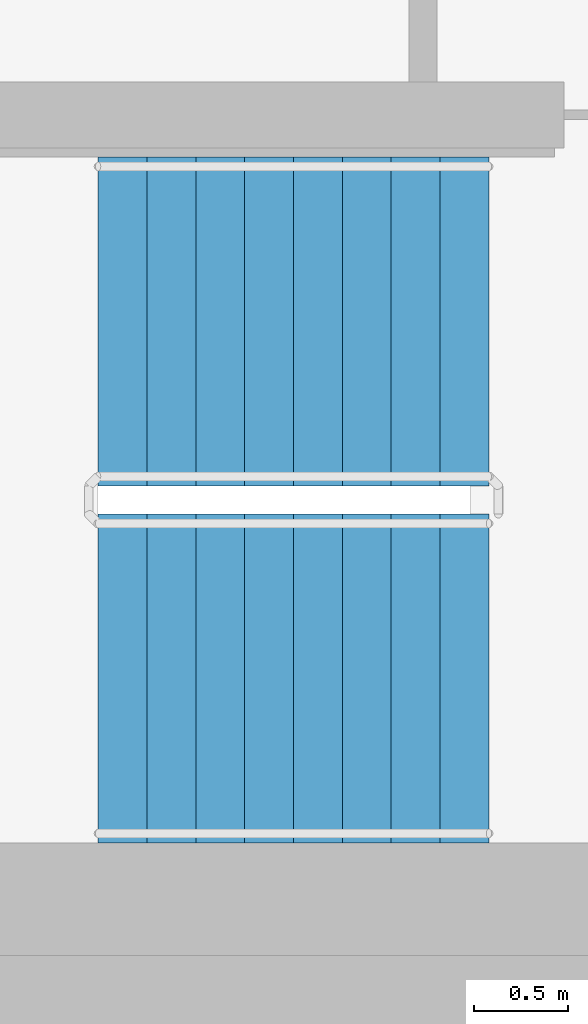
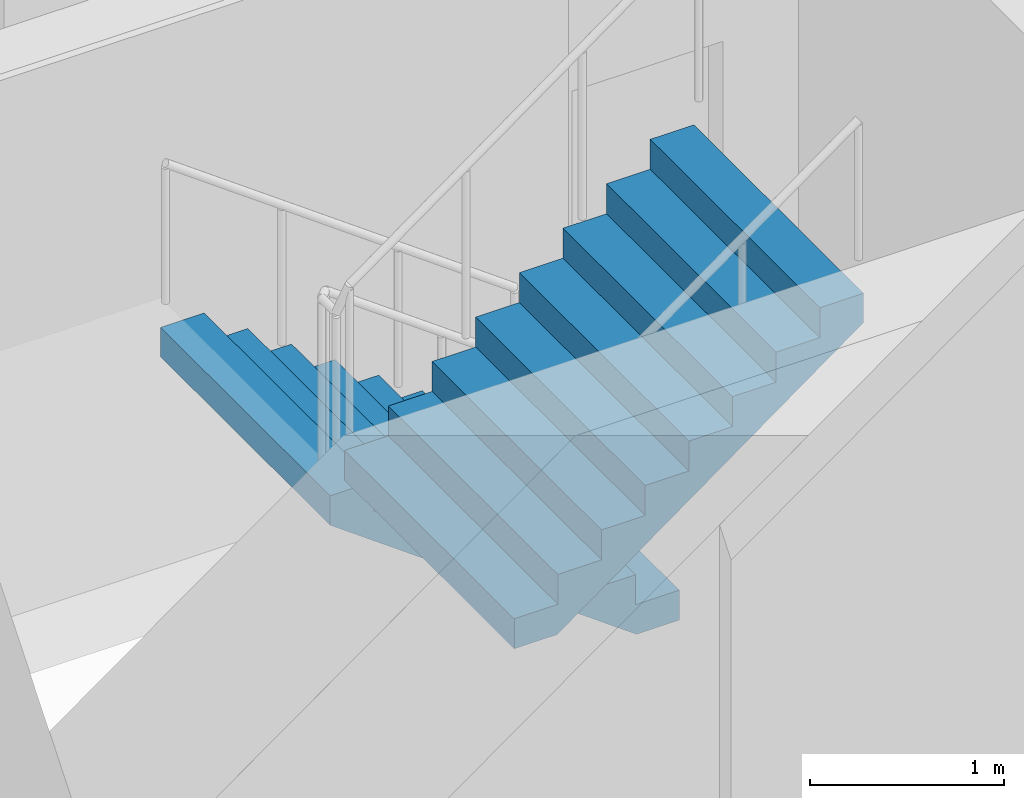
# One storey, part 12 of 18: 2 stair flights, 1 element without a shape of its own.
"""IFC4 building model written with IfcOpenShell, lengths in metres."""

import ifcopenshell
import ifcopenshell.guid

model = None  # the IFC model being written
_history = None  # IfcOwnerHistory: only IFC2X3 demands one
_inside = {}  # id of a spatial element -> (the spatial element, [elements in it])
_under = {}  # id of a project, library or spatial element -> (it, [spatial elements below it])
_declared = {}  # id of a project -> (the project, [libraries it declares])
_typed = {}  # id of a type object -> (the type object, [elements of that type])
_made_of = {}  # id of a material, layer set ... -> (it, [elements and type objects made of it])


def new_model(schema):
    """Start an empty IFC model of exactly this schema.

    Asked for "IFC4X3", IfcOpenShell would pick the latest addendum, in which some entities
    have other attributes; the version numbers below select the first issue.
    IFC2X3 requires an IfcOwnerHistory on every rooted entity: one is made here for all.
    """
    global model, _history
    if schema == "IFC4X3":
        model = ifcopenshell.file(schema_version=(4, 3, 0, 0))
    else:
        model = ifcopenshell.file(schema=schema)
    _inside.clear()
    _under.clear()
    _declared.clear()
    _typed.clear()
    _made_of.clear()
    _history = None
    if model.schema == "IFC2X3":
        org = make("IfcOrganization", Name="unknown")
        user = make(
            "IfcPersonAndOrganization",
            ThePerson=make("IfcPerson", FamilyName="unknown"),
            TheOrganization=org,
        )
        app = make(
            "IfcApplication",
            ApplicationDeveloper=org,
            Version="unknown",
            ApplicationFullName="unknown",
            ApplicationIdentifier="unknown",
        )
        _history = make(
            "IfcOwnerHistory",
            OwningUser=user,
            OwningApplication=app,
            ChangeAction="ADDED",
            CreationDate=0,
        )
    return model


def make(cls, **values):
    """One entity of the class cls with the attributes given. An attribute that is None is left unset."""
    return model.create_entity(
        cls, **{name: value for name, value in values.items() if value is not None}
    )


def rooted(cls, **values):
    """An entity with a GlobalId (a new one), such as an element, a storey or a relation."""
    return make(cls, GlobalId=ifcopenshell.guid.new(), OwnerHistory=_history, **values)


def si_unit(unit_type, name, prefix=None):
    """IfcSIUnit, for example si_unit("LENGTHUNIT", "METRE", prefix="MILLI")."""
    return make("IfcSIUnit", UnitType=unit_type, Prefix=prefix, Name=name)


def assignment(units):
    """IfcUnitAssignment: the units of a project."""
    return None if units is None else make("IfcUnitAssignment", Units=units)


def point(xyz):
    """IfcCartesianPoint."""
    return None if xyz is None else make("IfcCartesianPoint", Coordinates=xyz)


def direction(xyz):
    """IfcDirection."""
    return None if xyz is None else make("IfcDirection", DirectionRatios=xyz)


def frame(location, z_axis=None, x_axis=None):
    """IfcAxis2Placement3D, a coordinate frame: its origin and axes. An axis left out is left unset."""
    return make(
        "IfcAxis2Placement3D",
        Location=point(location),
        Axis=direction(z_axis),
        RefDirection=direction(x_axis),
    )


def origin():
    """The frame at (0, 0, 0) with its axes left unset."""
    return frame((0.0, 0.0, 0.0))


def place(relative_to, where):
    """IfcLocalPlacement: puts the frame where relative to a parent placement (None: the world)."""
    return make(
        "IfcLocalPlacement", PlacementRelTo=relative_to, RelativePlacement=where
    )


def context(
    kind, dimensions, precision=None, world=None, true_north=None, identifier=None
):
    """IfcGeometricRepresentationContext, for example the 3D "Model" context."""
    return make(
        "IfcGeometricRepresentationContext",
        ContextIdentifier=identifier,
        ContextType=kind,
        CoordinateSpaceDimension=dimensions,
        Precision=precision,
        WorldCoordinateSystem=world,
        TrueNorth=true_north,
    )


def subcontext(parent, identifier, kind, view, scale=None):
    """IfcGeometricRepresentationSubContext, for example "Body" below "Model"."""
    return make(
        "IfcGeometricRepresentationSubContext",
        ContextIdentifier=identifier,
        ContextType=kind,
        ParentContext=parent,
        TargetScale=scale,
        TargetView=view,
    )


def project(units=None, contexts=None):
    """IfcProject with its units and contexts."""
    return rooted(
        "IfcProject",
        Name="project",
        RepresentationContexts=contexts,
        UnitsInContext=assignment(units),
    )


def spatial(cls, under=None, at=None, **own):
    """A site, building, storey or space (cls), placed at a placement, below another one or the project."""
    s = rooted(cls, ObjectPlacement=at, **own)
    if under is not None:
        _under.setdefault(under.id(), (under, []))[1].append(s)
    return s


def faces_of(points, faces, orient=None, outer=None):
    """IfcFace entities. A face is a list of loops; a loop is a list of indices into points, from 0.

    orient and outer hold one flag for each loop. By default every Orientation is true, the
    first loop of a face is its IfcFaceOuterBound and the others are IfcFaceBound.
    """
    made = []
    for i, loops in enumerate(faces):
        bounds = []
        for j, loop in enumerate(loops):
            is_outer = j == 0 if outer is None else outer[i][j]
            bounds.append(
                make(
                    "IfcFaceOuterBound" if is_outer else "IfcFaceBound",
                    Bound=make("IfcPolyLoop", Polygon=[points[k] for k in loop]),
                    Orientation=True if orient is None else orient[i][j],
                )
            )
        made.append(make("IfcFace", Bounds=bounds))
    return made


def faceted_brep(points, faces, orient=None, outer=None, voids=None):
    """IfcFacetedBrep: a solid bounded by flat faces; with voids (closed shells), ...WithVoids."""
    shared = [point(p) for p in points]
    hull = make("IfcClosedShell", CfsFaces=faces_of(shared, faces, orient, outer))
    if voids is None:
        return make("IfcFacetedBrep", Outer=hull)
    return make(
        "IfcFacetedBrepWithVoids",
        Outer=hull,
        Voids=[
            make(cls, CfsFaces=faces_of(shared, fs, o, b)) for cls, fs, o, b in voids
        ],
    )


def shape(context_of_items, identifier, shape_type, items):
    """IfcShapeRepresentation: the items that make up one representation, for example the "Body"."""
    return make(
        "IfcShapeRepresentation",
        ContextOfItems=context_of_items,
        RepresentationIdentifier=identifier,
        RepresentationType=shape_type,
        Items=items,
    )


def material(Name=None, Category=None):
    """IfcMaterial."""
    return make("IfcMaterial", Name=Name, Category=Category)


def made_of(thing, what):
    """Note that an element or type object is made of a material, layer set ...; save() writes the relation."""
    if what is not None:
        _made_of.setdefault(what.id(), (what, []))[1].append(thing)
    return thing


def type_object(cls, material=None, **own):
    """A type object (cls), such as IfcWallType, which elements share."""
    return made_of(rooted(cls, **own), material)


def element(
    cls,
    number,
    at=None,
    inside=None,
    cuts=None,
    type_object=None,
    material=None,
    context=None,
    identifier="Body",
    shape_type=None,
    held_by="IfcProductDefinitionShape",
    body=None,
    shapes=None,
    **own,
):
    """One element of the class cls, such as IfcWall. Its Tag is "e" and its number.

    at: its placement. inside: the storey or other place that contains it. cuts: it is an
    opening in that element (IfcRelVoidsElement). A single representation is given by context,
    identifier, shape_type and body (its items); several are given by shapes. held_by: the class
    of the entity that holds the representations. save() writes the other relations.
    """
    e = rooted(cls, Tag="e%d" % number, ObjectPlacement=at, **own)
    if body is not None:
        shapes = [shape(context, identifier, shape_type, body)]
    if shapes is not None:
        e.Representation = make(held_by, Representations=shapes)
    if inside is not None:
        _inside.setdefault(inside.id(), (inside, []))[1].append(e)
    if cuts is not None:
        rooted(
            "IfcRelVoidsElement", RelatingBuildingElement=cuts, RelatedOpeningElement=e
        )
    if type_object is not None:
        _typed.setdefault(type_object.id(), (type_object, []))[1].append(e)
    return made_of(e, material)


def aggregate(whole, parts):
    """IfcRelAggregates: a whole, such as a stair, and the parts it consists of."""
    return rooted("IfcRelAggregates", RelatingObject=whole, RelatedObjects=parts)


def save(model, path):
    """Write the relations noted so far, then the file.

    IfcRelAggregates (storeys below a building ...), IfcRelContainedInSpatialStructure (elements
    in a storey), IfcRelDefinesByType, IfcRelAssociatesMaterial and IfcRelDeclares: one each for
    every whole, place, type object, material and project.
    """
    for whole, parts in _under.values():
        aggregate(whole, parts)
    for where, things in _inside.values():
        rooted(
            "IfcRelContainedInSpatialStructure",
            RelatedElements=things,
            RelatingStructure=where,
        )
    for kind, things in _typed.values():
        rooted("IfcRelDefinesByType", RelatedObjects=things, RelatingType=kind)
    for what, things in _made_of.values():
        rooted("IfcRelAssociatesMaterial", RelatedObjects=things, RelatingMaterial=what)
    for by, libraries in _declared.values():
        rooted("IfcRelDeclares", RelatingContext=by, RelatedDefinitions=libraries)
    model.write(path)


model = new_model("IFC4")

# Units and contexts
model_context = context("Model", 3, precision=1e-05, world=origin(), true_north=direction((0.0, 1.0)))
body_context = subcontext(model_context, "Body", "Model", "MODEL_VIEW")
ifc_project = project(units=[si_unit("LENGTHUNIT", "METRE"), si_unit("AREAUNIT", "SQUARE_METRE"), si_unit("VOLUMEUNIT", "CUBIC_METRE"), si_unit("PLANEANGLEUNIT", "RADIAN"), si_unit("MASSUNIT", "GRAM", prefix="KILO")], contexts=[model_context])

# Site, building, storey
site_placement = place(None, origin())
site = spatial("IfcSite", under=ifc_project, at=site_placement, CompositionType="ELEMENT")
building_placement = place(site_placement, origin())
building = spatial("IfcBuilding", under=site, at=building_placement, Name="Ipe Terrace Towers", CompositionType="ELEMENT")
storey_placement = place(building_placement, frame((0.0, 0.0, 213.0)))
storey = spatial("IfcBuildingStorey", under=building, at=storey_placement, Name="L59", CompositionType="ELEMENT", Elevation=213.0)

# Stair, stair flights
ifc_material_1 = material(Name="Concrete C30/37", Category="concrete")
stair_type = type_object("IfcStairType", Name="Protected exit stair", PredefinedType="HALF_TURN_STAIR", material=ifc_material_1)
stair_placement = place(storey_placement, origin())
stair = element("IfcStair", 1, at=stair_placement, inside=storey, type_object=stair_type, Name="L59 Exit stair T1-C2", PredefinedType="HALF_TURN_STAIR")
ifc_material_2 = material(Name="Concrete C30/37", Category="concrete")
stair_flight_type = type_object("IfcStairFlightType", Name="Exit stair flight 1750", PredefinedType="STRAIGHT", material=ifc_material_2)
stair_flight_1_placement = place(storey_placement, frame((-45.699951171875, -2.77490234375, 0.0), z_axis=(0.0, 0.0, 1.0), x_axis=(-1.0, 0.0, 0.0)))
stair_flight_1 = element("IfcStairFlight", 2, at=stair_flight_1_placement, type_object=stair_flight_type, Name="T1-ST2 flight 1", NumberOfRisers=9, NumberOfTreads=8, PredefinedType="STRAIGHT", RiserHeight=0.188888889, TreadLength=0.26, context=body_context, shape_type="Brep", body=[
    faceted_brep([(0.255126953125, -0.875, 0.0), (2.080078125, -0.875, 1.325927734375), (2.080078125, -0.875, 1.51123046875), (1.820068359375, -0.875, 1.51123046875), (1.820068359375, -0.875, 1.322265625), (1.56005859375, -0.875, 1.322265625), (1.56005859375, -0.875, 1.13330078125), (1.300048828125, -0.875, 1.13330078125), (1.300048828125, -0.875, 0.9443359375), (1.0400390625, -0.875, 0.9443359375), (1.0400390625, -0.875, 0.755615234375), (0.780029296875, -0.875, 0.755615234375), (0.780029296875, -0.875, 0.566650390625), (0.52001953125, -0.875, 0.566650390625), (0.52001953125, -0.875, 0.377685546875), (0.260009765625, -0.875, 0.377685546875), (0.260009765625, -0.875, 0.18896484375), (0.0, -0.875, 0.18896484375), (0.0, -0.875, 0.0), (0.0, 0.875, 0.0), (0.0, 0.875, 0.18896484375), (0.260009765625, 0.875, 0.18896484375), (0.260009765625, 0.875, 0.377685546875), (0.52001953125, 0.875, 0.377685546875), (0.52001953125, 0.875, 0.566650390625), (0.780029296875, 0.875, 0.566650390625), (0.780029296875, 0.875, 0.755615234375), (1.0400390625, 0.875, 0.755615234375), (1.0400390625, 0.875, 0.9443359375), (1.300048828125, 0.875, 0.9443359375), (1.300048828125, 0.875, 1.13330078125), (1.56005859375, 0.875, 1.13330078125), (1.56005859375, 0.875, 1.322265625), (1.820068359375, 0.875, 1.322265625), (1.820068359375, 0.875, 1.51123046875), (2.080078125, 0.875, 1.51123046875), (2.080078125, 0.875, 1.325927734375), (0.255126953125, 0.875, 0.0), (0.0, -0.300048828125, 0.18896484375), (0.0, -0.1201171875, 0.18896484375), (0.0, -0.06005859375, 0.18896484375), (0.0, -0.030029296875, 0.18896484375), (0.0, -0.010009765625, 0.18896484375), (0.0, 0.0, 0.18896484375), (0.0, 0.010009765625, 0.18896484375), (0.0, 0.030029296875, 0.18896484375), (0.0, 0.06005859375, 0.18896484375), (0.0, 0.1201171875, 0.18896484375), (0.0, 0.300048828125, 0.18896484375), (0.0, 0.300048828125, 0.0), (0.0, 0.1201171875, 0.0), (0.0, 0.06005859375, 0.0), (0.0, 0.030029296875, 0.0), (0.0, 0.010009765625, 0.0), (0.0, 0.0, 0.0), (0.0, -0.010009765625, 0.0), (0.0, -0.030029296875, 0.0), (0.0, -0.06005859375, 0.0), (0.0, -0.1201171875, 0.0), (0.0, -0.300048828125, 0.0), (0.260009765625, -0.300048828125, 0.18896484375), (0.260009765625, -0.1201171875, 0.18896484375), (0.260009765625, -0.06005859375, 0.18896484375), (0.260009765625, -0.030029296875, 0.18896484375), (0.260009765625, -0.010009765625, 0.18896484375), (0.260009765625, 0.0, 0.18896484375), (0.260009765625, 0.010009765625, 0.18896484375), (0.260009765625, 0.030029296875, 0.18896484375), (0.260009765625, 0.06005859375, 0.18896484375), (0.260009765625, 0.1201171875, 0.18896484375), (0.260009765625, 0.300048828125, 0.18896484375), (0.260009765625, -0.300048828125, 0.377685546875), (0.260009765625, -0.1201171875, 0.377685546875), (0.260009765625, -0.06005859375, 0.377685546875), (0.260009765625, -0.030029296875, 0.377685546875), (0.260009765625, -0.010009765625, 0.377685546875), (0.260009765625, 0.0, 0.377685546875), (0.260009765625, 0.010009765625, 0.377685546875), (0.260009765625, 0.030029296875, 0.377685546875), (0.260009765625, 0.06005859375, 0.377685546875), (0.260009765625, 0.1201171875, 0.377685546875), (0.260009765625, 0.300048828125, 0.377685546875), (0.52001953125, -0.300048828125, 0.377685546875), (0.52001953125, -0.1201171875, 0.377685546875), (0.52001953125, -0.06005859375, 0.377685546875), (0.52001953125, -0.030029296875, 0.377685546875), (0.52001953125, -0.010009765625, 0.377685546875), (0.52001953125, 0.0, 0.377685546875), (0.52001953125, 0.010009765625, 0.377685546875), (0.52001953125, 0.030029296875, 0.377685546875), (0.52001953125, 0.06005859375, 0.377685546875), (0.52001953125, 0.1201171875, 0.377685546875), (0.52001953125, 0.300048828125, 0.377685546875), (0.52001953125, -0.300048828125, 0.566650390625), (0.52001953125, -0.1201171875, 0.566650390625), (0.52001953125, -0.06005859375, 0.566650390625), (0.52001953125, -0.030029296875, 0.566650390625), (0.52001953125, -0.010009765625, 0.566650390625), (0.52001953125, 0.0, 0.566650390625), (0.52001953125, 0.010009765625, 0.566650390625), (0.52001953125, 0.030029296875, 0.566650390625), (0.52001953125, 0.06005859375, 0.566650390625), (0.52001953125, 0.1201171875, 0.566650390625), (0.52001953125, 0.300048828125, 0.566650390625), (0.780029296875, -0.300048828125, 0.566650390625), (0.780029296875, -0.1201171875, 0.566650390625), (0.780029296875, -0.06005859375, 0.566650390625), (0.780029296875, -0.030029296875, 0.566650390625), (0.780029296875, -0.010009765625, 0.566650390625), (0.780029296875, 0.0, 0.566650390625), (0.780029296875, 0.010009765625, 0.566650390625), (0.780029296875, 0.030029296875, 0.566650390625), (0.780029296875, 0.06005859375, 0.566650390625), (0.780029296875, 0.1201171875, 0.566650390625), (0.780029296875, 0.300048828125, 0.566650390625), (0.780029296875, -0.300048828125, 0.755615234375), (0.780029296875, -0.1201171875, 0.755615234375), (0.780029296875, -0.06005859375, 0.755615234375), (0.780029296875, -0.030029296875, 0.755615234375), (0.780029296875, -0.010009765625, 0.755615234375), (0.780029296875, 0.0, 0.755615234375), (0.780029296875, 0.010009765625, 0.755615234375), (0.780029296875, 0.030029296875, 0.755615234375), (0.780029296875, 0.06005859375, 0.755615234375), (0.780029296875, 0.1201171875, 0.755615234375), (0.780029296875, 0.300048828125, 0.755615234375), (1.0400390625, -0.300048828125, 0.755615234375), (1.0400390625, -0.1201171875, 0.755615234375), (1.0400390625, -0.06005859375, 0.755615234375), (1.0400390625, -0.030029296875, 0.755615234375), (1.0400390625, -0.010009765625, 0.755615234375), (1.0400390625, 0.0, 0.755615234375), (1.0400390625, 0.010009765625, 0.755615234375), (1.0400390625, 0.030029296875, 0.755615234375), (1.0400390625, 0.06005859375, 0.755615234375), (1.0400390625, 0.1201171875, 0.755615234375), (1.0400390625, 0.300048828125, 0.755615234375), (1.0400390625, -0.300048828125, 0.9443359375), (1.0400390625, -0.1201171875, 0.9443359375), (1.0400390625, -0.06005859375, 0.9443359375), (1.0400390625, -0.030029296875, 0.9443359375), (1.0400390625, -0.010009765625, 0.9443359375), (1.0400390625, 0.0, 0.9443359375), (1.0400390625, 0.010009765625, 0.9443359375), (1.0400390625, 0.030029296875, 0.9443359375), (1.0400390625, 0.06005859375, 0.9443359375), (1.0400390625, 0.1201171875, 0.9443359375), (1.0400390625, 0.300048828125, 0.9443359375), (1.300048828125, -0.300048828125, 0.9443359375), (1.300048828125, -0.1201171875, 0.9443359375), (1.300048828125, -0.06005859375, 0.9443359375), (1.300048828125, -0.030029296875, 0.9443359375), (1.300048828125, -0.010009765625, 0.9443359375), (1.300048828125, 0.0, 0.9443359375), (1.300048828125, 0.010009765625, 0.9443359375), (1.300048828125, 0.030029296875, 0.9443359375), (1.300048828125, 0.06005859375, 0.9443359375), (1.300048828125, 0.1201171875, 0.9443359375), (1.300048828125, 0.300048828125, 0.9443359375), (1.300048828125, -0.300048828125, 1.13330078125), (1.300048828125, -0.1201171875, 1.13330078125), (1.300048828125, -0.06005859375, 1.13330078125), (1.300048828125, -0.030029296875, 1.13330078125), (1.300048828125, -0.010009765625, 1.13330078125), (1.300048828125, 0.0, 1.13330078125), (1.300048828125, 0.010009765625, 1.13330078125), (1.300048828125, 0.030029296875, 1.13330078125), (1.300048828125, 0.06005859375, 1.13330078125), (1.300048828125, 0.1201171875, 1.13330078125), (1.300048828125, 0.300048828125, 1.13330078125), (1.56005859375, -0.300048828125, 1.13330078125), (1.56005859375, -0.1201171875, 1.13330078125), (1.56005859375, -0.06005859375, 1.13330078125), (1.56005859375, -0.030029296875, 1.13330078125), (1.56005859375, -0.010009765625, 1.13330078125), (1.56005859375, 0.0, 1.13330078125), (1.56005859375, 0.010009765625, 1.13330078125), (1.56005859375, 0.030029296875, 1.13330078125), (1.56005859375, 0.06005859375, 1.13330078125), (1.56005859375, 0.1201171875, 1.13330078125), (1.56005859375, 0.300048828125, 1.13330078125), (1.56005859375, -0.300048828125, 1.322265625), (1.56005859375, -0.1201171875, 1.322265625), (1.56005859375, -0.06005859375, 1.322265625), (1.56005859375, -0.030029296875, 1.322265625), (1.56005859375, -0.010009765625, 1.322265625), (1.56005859375, 0.0, 1.322265625), (1.56005859375, 0.010009765625, 1.322265625), (1.56005859375, 0.030029296875, 1.322265625), (1.56005859375, 0.06005859375, 1.322265625), (1.56005859375, 0.1201171875, 1.322265625), (1.56005859375, 0.300048828125, 1.322265625), (1.820068359375, -0.300048828125, 1.322265625), (1.820068359375, -0.1201171875, 1.322265625), (1.820068359375, -0.06005859375, 1.322265625), (1.820068359375, -0.030029296875, 1.322265625), (1.820068359375, -0.010009765625, 1.322265625), (1.820068359375, 0.0, 1.322265625), (1.820068359375, 0.010009765625, 1.322265625), (1.820068359375, 0.030029296875, 1.322265625), (1.820068359375, 0.06005859375, 1.322265625), (1.820068359375, 0.1201171875, 1.322265625), (1.820068359375, 0.300048828125, 1.322265625), (1.820068359375, -0.300048828125, 1.51123046875), (1.820068359375, -0.1201171875, 1.51123046875), (1.820068359375, -0.06005859375, 1.51123046875), (1.820068359375, -0.030029296875, 1.51123046875), (1.820068359375, -0.010009765625, 1.51123046875), (1.820068359375, 0.0, 1.51123046875), (1.820068359375, 0.010009765625, 1.51123046875), (1.820068359375, 0.030029296875, 1.51123046875), (1.820068359375, 0.06005859375, 1.51123046875), (1.820068359375, 0.1201171875, 1.51123046875), (1.820068359375, 0.300048828125, 1.51123046875), (2.080078125, -0.300048828125, 1.51123046875), (2.080078125, -0.1201171875, 1.51123046875), (2.080078125, -0.06005859375, 1.51123046875), (2.080078125, -0.030029296875, 1.51123046875), (2.080078125, -0.010009765625, 1.51123046875), (2.080078125, 0.0, 1.51123046875), (2.080078125, 0.010009765625, 1.51123046875), (2.080078125, 0.030029296875, 1.51123046875), (2.080078125, 0.06005859375, 1.51123046875), (2.080078125, 0.1201171875, 1.51123046875), (2.080078125, 0.300048828125, 1.51123046875), (2.080078125, -0.300048828125, 1.325927734375), (2.080078125, -0.1201171875, 1.325927734375), (2.080078125, -0.06005859375, 1.325927734375), (2.080078125, -0.030029296875, 1.325927734375), (2.080078125, -0.010009765625, 1.325927734375), (2.080078125, 0.0, 1.325927734375), (2.080078125, 0.010009765625, 1.325927734375), (2.080078125, 0.030029296875, 1.325927734375), (2.080078125, 0.06005859375, 1.325927734375), (2.080078125, 0.1201171875, 1.325927734375), (2.080078125, 0.300048828125, 1.325927734375), (0.255126953125, -0.300048828125, 0.0), (0.255126953125, -0.1201171875, 0.0), (0.255126953125, -0.06005859375, 0.0), (0.255126953125, -0.030029296875, 0.0), (0.255126953125, -0.010009765625, 0.0), (0.255126953125, 0.0, 0.0), (0.255126953125, 0.010009765625, 0.0), (0.255126953125, 0.030029296875, 0.0), (0.255126953125, 0.06005859375, 0.0), (0.255126953125, 0.1201171875, 0.0), (0.255126953125, 0.300048828125, 0.0)], [[[0, 1, 2, 3, 4, 5, 6, 7, 8, 9, 10, 11, 12, 13, 14, 15, 16, 17, 18]], [[19, 20, 21, 22, 23, 24, 25, 26, 27, 28, 29, 30, 31, 32, 33, 34, 35, 36, 37]], [[17, 38, 39, 40, 41, 42, 43, 44, 45, 46, 47, 48, 20, 19, 49, 50, 51, 52, 53, 54, 55, 56, 57, 58, 59, 18]], [[16, 60, 61, 62, 63, 64, 65, 66, 67, 68, 69, 70, 21, 20, 48, 47, 46, 45, 44, 43, 42, 41, 40, 39, 38, 17]], [[15, 71, 72, 73, 74, 75, 76, 77, 78, 79, 80, 81, 22, 21, 70, 69, 68, 67, 66, 65, 64, 63, 62, 61, 60, 16]], [[14, 82, 83, 84, 85, 86, 87, 88, 89, 90, 91, 92, 23, 22, 81, 80, 79, 78, 77, 76, 75, 74, 73, 72, 71, 15]], [[13, 93, 94, 95, 96, 97, 98, 99, 100, 101, 102, 103, 24, 23, 92, 91, 90, 89, 88, 87, 86, 85, 84, 83, 82, 14]], [[12, 104, 105, 106, 107, 108, 109, 110, 111, 112, 113, 114, 25, 24, 103, 102, 101, 100, 99, 98, 97, 96, 95, 94, 93, 13]], [[11, 115, 116, 117, 118, 119, 120, 121, 122, 123, 124, 125, 26, 25, 114, 113, 112, 111, 110, 109, 108, 107, 106, 105, 104, 12]], [[10, 126, 127, 128, 129, 130, 131, 132, 133, 134, 135, 136, 27, 26, 125, 124, 123, 122, 121, 120, 119, 118, 117, 116, 115, 11]], [[9, 137, 138, 139, 140, 141, 142, 143, 144, 145, 146, 147, 28, 27, 136, 135, 134, 133, 132, 131, 130, 129, 128, 127, 126, 10]], [[8, 148, 149, 150, 151, 152, 153, 154, 155, 156, 157, 158, 29, 28, 147, 146, 145, 144, 143, 142, 141, 140, 139, 138, 137, 9]], [[7, 159, 160, 161, 162, 163, 164, 165, 166, 167, 168, 169, 30, 29, 158, 157, 156, 155, 154, 153, 152, 151, 150, 149, 148, 8]], [[6, 170, 171, 172, 173, 174, 175, 176, 177, 178, 179, 180, 31, 30, 169, 168, 167, 166, 165, 164, 163, 162, 161, 160, 159, 7]], [[5, 181, 182, 183, 184, 185, 186, 187, 188, 189, 190, 191, 32, 31, 180, 179, 178, 177, 176, 175, 174, 173, 172, 171, 170, 6]], [[4, 192, 193, 194, 195, 196, 197, 198, 199, 200, 201, 202, 33, 32, 191, 190, 189, 188, 187, 186, 185, 184, 183, 182, 181, 5]], [[3, 203, 204, 205, 206, 207, 208, 209, 210, 211, 212, 213, 34, 33, 202, 201, 200, 199, 198, 197, 196, 195, 194, 193, 192, 4]], [[2, 214, 215, 216, 217, 218, 219, 220, 221, 222, 223, 224, 35, 34, 213, 212, 211, 210, 209, 208, 207, 206, 205, 204, 203, 3]], [[1, 225, 226, 227, 228, 229, 230, 231, 232, 233, 234, 235, 36, 35, 224, 223, 222, 221, 220, 219, 218, 217, 216, 215, 214, 2]], [[0, 236, 237, 238, 239, 240, 241, 242, 243, 244, 245, 246, 37, 36, 235, 234, 233, 232, 231, 230, 229, 228, 227, 226, 225, 1]], [[18, 59, 58, 57, 56, 55, 54, 53, 52, 51, 50, 49, 19, 37, 246, 245, 244, 243, 242, 241, 240, 239, 238, 237, 236, 0]]]),
])
stair_flight_2_placement = place(storey_placement, frame((-47.780029296875, -4.675048828125, 1.699951171875), z_axis=(0.0, 0.0, 1.0), x_axis=(1.0, 0.0, 0.0)))
stair_flight_2 = element("IfcStairFlight", 3, at=stair_flight_2_placement, type_object=stair_flight_type, Name="T1-ST2 flight 2", NumberOfRisers=9, NumberOfTreads=8, PredefinedType="STRAIGHT", RiserHeight=0.188888889, TreadLength=0.26, context=body_context, shape_type="Brep", body=[
    faceted_brep([(0.255126953125, -0.875, 0.0), (2.080078125, -0.875, 1.325927734375), (2.080078125, -0.875, 1.51123046875), (1.820068359375, -0.875, 1.51123046875), (1.820068359375, -0.875, 1.322265625), (1.56005859375, -0.875, 1.322265625), (1.56005859375, -0.875, 1.13330078125), (1.300048828125, -0.875, 1.13330078125), (1.300048828125, -0.875, 0.9443359375), (1.0400390625, -0.875, 0.9443359375), (1.0400390625, -0.875, 0.755615234375), (0.780029296875, -0.875, 0.755615234375), (0.780029296875, -0.875, 0.566650390625), (0.52001953125, -0.875, 0.566650390625), (0.52001953125, -0.875, 0.377685546875), (0.260009765625, -0.875, 0.377685546875), (0.260009765625, -0.875, 0.18896484375), (0.0, -0.875, 0.18896484375), (0.0, -0.875, 0.0), (0.0, 0.875, 0.0), (0.0, 0.875, 0.18896484375), (0.260009765625, 0.875, 0.18896484375), (0.260009765625, 0.875, 0.377685546875), (0.52001953125, 0.875, 0.377685546875), (0.52001953125, 0.875, 0.566650390625), (0.780029296875, 0.875, 0.566650390625), (0.780029296875, 0.875, 0.755615234375), (1.0400390625, 0.875, 0.755615234375), (1.0400390625, 0.875, 0.9443359375), (1.300048828125, 0.875, 0.9443359375), (1.300048828125, 0.875, 1.13330078125), (1.56005859375, 0.875, 1.13330078125), (1.56005859375, 0.875, 1.322265625), (1.820068359375, 0.875, 1.322265625), (1.820068359375, 0.875, 1.51123046875), (2.080078125, 0.875, 1.51123046875), (2.080078125, 0.875, 1.325927734375), (0.255126953125, 0.875, 0.0), (0.0, -0.300048828125, 0.18896484375), (0.0, -0.1201171875, 0.18896484375), (0.0, -0.06005859375, 0.18896484375), (0.0, -0.030029296875, 0.18896484375), (0.0, -0.010009765625, 0.18896484375), (0.0, 0.0, 0.18896484375), (0.0, 0.010009765625, 0.18896484375), (0.0, 0.030029296875, 0.18896484375), (0.0, 0.06005859375, 0.18896484375), (0.0, 0.1201171875, 0.18896484375), (0.0, 0.300048828125, 0.18896484375), (0.0, 0.300048828125, 0.0), (0.0, 0.1201171875, 0.0), (0.0, 0.06005859375, 0.0), (0.0, 0.030029296875, 0.0), (0.0, 0.010009765625, 0.0), (0.0, 0.0, 0.0), (0.0, -0.010009765625, 0.0), (0.0, -0.030029296875, 0.0), (0.0, -0.06005859375, 0.0), (0.0, -0.1201171875, 0.0), (0.0, -0.300048828125, 0.0), (0.260009765625, -0.300048828125, 0.18896484375), (0.260009765625, -0.1201171875, 0.18896484375), (0.260009765625, -0.06005859375, 0.18896484375), (0.260009765625, -0.030029296875, 0.18896484375), (0.260009765625, -0.010009765625, 0.18896484375), (0.260009765625, 0.0, 0.18896484375), (0.260009765625, 0.010009765625, 0.18896484375), (0.260009765625, 0.030029296875, 0.18896484375), (0.260009765625, 0.06005859375, 0.18896484375), (0.260009765625, 0.1201171875, 0.18896484375), (0.260009765625, 0.300048828125, 0.18896484375), (0.260009765625, -0.300048828125, 0.377685546875), (0.260009765625, -0.1201171875, 0.377685546875), (0.260009765625, -0.06005859375, 0.377685546875), (0.260009765625, -0.030029296875, 0.377685546875), (0.260009765625, -0.010009765625, 0.377685546875), (0.260009765625, 0.0, 0.377685546875), (0.260009765625, 0.010009765625, 0.377685546875), (0.260009765625, 0.030029296875, 0.377685546875), (0.260009765625, 0.06005859375, 0.377685546875), (0.260009765625, 0.1201171875, 0.377685546875), (0.260009765625, 0.300048828125, 0.377685546875), (0.52001953125, -0.300048828125, 0.377685546875), (0.52001953125, -0.1201171875, 0.377685546875), (0.52001953125, -0.06005859375, 0.377685546875), (0.52001953125, -0.030029296875, 0.377685546875), (0.52001953125, -0.010009765625, 0.377685546875), (0.52001953125, 0.0, 0.377685546875), (0.52001953125, 0.010009765625, 0.377685546875), (0.52001953125, 0.030029296875, 0.377685546875), (0.52001953125, 0.06005859375, 0.377685546875), (0.52001953125, 0.1201171875, 0.377685546875), (0.52001953125, 0.300048828125, 0.377685546875), (0.52001953125, -0.300048828125, 0.566650390625), (0.52001953125, -0.1201171875, 0.566650390625), (0.52001953125, -0.06005859375, 0.566650390625), (0.52001953125, -0.030029296875, 0.566650390625), (0.52001953125, -0.010009765625, 0.566650390625), (0.52001953125, 0.0, 0.566650390625), (0.52001953125, 0.010009765625, 0.566650390625), (0.52001953125, 0.030029296875, 0.566650390625), (0.52001953125, 0.06005859375, 0.566650390625), (0.52001953125, 0.1201171875, 0.566650390625), (0.52001953125, 0.300048828125, 0.566650390625), (0.780029296875, -0.300048828125, 0.566650390625), (0.780029296875, -0.1201171875, 0.566650390625), (0.780029296875, -0.06005859375, 0.566650390625), (0.780029296875, -0.030029296875, 0.566650390625), (0.780029296875, -0.010009765625, 0.566650390625), (0.780029296875, 0.0, 0.566650390625), (0.780029296875, 0.010009765625, 0.566650390625), (0.780029296875, 0.030029296875, 0.566650390625), (0.780029296875, 0.06005859375, 0.566650390625), (0.780029296875, 0.1201171875, 0.566650390625), (0.780029296875, 0.300048828125, 0.566650390625), (0.780029296875, -0.300048828125, 0.755615234375), (0.780029296875, -0.1201171875, 0.755615234375), (0.780029296875, -0.06005859375, 0.755615234375), (0.780029296875, -0.030029296875, 0.755615234375), (0.780029296875, -0.010009765625, 0.755615234375), (0.780029296875, 0.0, 0.755615234375), (0.780029296875, 0.010009765625, 0.755615234375), (0.780029296875, 0.030029296875, 0.755615234375), (0.780029296875, 0.06005859375, 0.755615234375), (0.780029296875, 0.1201171875, 0.755615234375), (0.780029296875, 0.300048828125, 0.755615234375), (1.0400390625, -0.300048828125, 0.755615234375), (1.0400390625, -0.1201171875, 0.755615234375), (1.0400390625, -0.06005859375, 0.755615234375), (1.0400390625, -0.030029296875, 0.755615234375), (1.0400390625, -0.010009765625, 0.755615234375), (1.0400390625, 0.0, 0.755615234375), (1.0400390625, 0.010009765625, 0.755615234375), (1.0400390625, 0.030029296875, 0.755615234375), (1.0400390625, 0.06005859375, 0.755615234375), (1.0400390625, 0.1201171875, 0.755615234375), (1.0400390625, 0.300048828125, 0.755615234375), (1.0400390625, -0.300048828125, 0.9443359375), (1.0400390625, -0.1201171875, 0.9443359375), (1.0400390625, -0.06005859375, 0.9443359375), (1.0400390625, -0.030029296875, 0.9443359375), (1.0400390625, -0.010009765625, 0.9443359375), (1.0400390625, 0.0, 0.9443359375), (1.0400390625, 0.010009765625, 0.9443359375), (1.0400390625, 0.030029296875, 0.9443359375), (1.0400390625, 0.06005859375, 0.9443359375), (1.0400390625, 0.1201171875, 0.9443359375), (1.0400390625, 0.300048828125, 0.9443359375), (1.300048828125, -0.300048828125, 0.9443359375), (1.300048828125, -0.1201171875, 0.9443359375), (1.300048828125, -0.06005859375, 0.9443359375), (1.300048828125, -0.030029296875, 0.9443359375), (1.300048828125, -0.010009765625, 0.9443359375), (1.300048828125, 0.0, 0.9443359375), (1.300048828125, 0.010009765625, 0.9443359375), (1.300048828125, 0.030029296875, 0.9443359375), (1.300048828125, 0.06005859375, 0.9443359375), (1.300048828125, 0.1201171875, 0.9443359375), (1.300048828125, 0.300048828125, 0.9443359375), (1.300048828125, -0.300048828125, 1.13330078125), (1.300048828125, -0.1201171875, 1.13330078125), (1.300048828125, -0.06005859375, 1.13330078125), (1.300048828125, -0.030029296875, 1.13330078125), (1.300048828125, -0.010009765625, 1.13330078125), (1.300048828125, 0.0, 1.13330078125), (1.300048828125, 0.010009765625, 1.13330078125), (1.300048828125, 0.030029296875, 1.13330078125), (1.300048828125, 0.06005859375, 1.13330078125), (1.300048828125, 0.1201171875, 1.13330078125), (1.300048828125, 0.300048828125, 1.13330078125), (1.56005859375, -0.300048828125, 1.13330078125), (1.56005859375, -0.1201171875, 1.13330078125), (1.56005859375, -0.06005859375, 1.13330078125), (1.56005859375, -0.030029296875, 1.13330078125), (1.56005859375, -0.010009765625, 1.13330078125), (1.56005859375, 0.0, 1.13330078125), (1.56005859375, 0.010009765625, 1.13330078125), (1.56005859375, 0.030029296875, 1.13330078125), (1.56005859375, 0.06005859375, 1.13330078125), (1.56005859375, 0.1201171875, 1.13330078125), (1.56005859375, 0.300048828125, 1.13330078125), (1.56005859375, -0.300048828125, 1.322265625), (1.56005859375, -0.1201171875, 1.322265625), (1.56005859375, -0.06005859375, 1.322265625), (1.56005859375, -0.030029296875, 1.322265625), (1.56005859375, -0.010009765625, 1.322265625), (1.56005859375, 0.0, 1.322265625), (1.56005859375, 0.010009765625, 1.322265625), (1.56005859375, 0.030029296875, 1.322265625), (1.56005859375, 0.06005859375, 1.322265625), (1.56005859375, 0.1201171875, 1.322265625), (1.56005859375, 0.300048828125, 1.322265625), (1.820068359375, -0.300048828125, 1.322265625), (1.820068359375, -0.1201171875, 1.322265625), (1.820068359375, -0.06005859375, 1.322265625), (1.820068359375, -0.030029296875, 1.322265625), (1.820068359375, -0.010009765625, 1.322265625), (1.820068359375, 0.0, 1.322265625), (1.820068359375, 0.010009765625, 1.322265625), (1.820068359375, 0.030029296875, 1.322265625), (1.820068359375, 0.06005859375, 1.322265625), (1.820068359375, 0.1201171875, 1.322265625), (1.820068359375, 0.300048828125, 1.322265625), (1.820068359375, -0.300048828125, 1.51123046875), (1.820068359375, -0.1201171875, 1.51123046875), (1.820068359375, -0.06005859375, 1.51123046875), (1.820068359375, -0.030029296875, 1.51123046875), (1.820068359375, -0.010009765625, 1.51123046875), (1.820068359375, 0.0, 1.51123046875), (1.820068359375, 0.010009765625, 1.51123046875), (1.820068359375, 0.030029296875, 1.51123046875), (1.820068359375, 0.06005859375, 1.51123046875), (1.820068359375, 0.1201171875, 1.51123046875), (1.820068359375, 0.300048828125, 1.51123046875), (2.080078125, -0.300048828125, 1.51123046875), (2.080078125, -0.1201171875, 1.51123046875), (2.080078125, -0.06005859375, 1.51123046875), (2.080078125, -0.030029296875, 1.51123046875), (2.080078125, -0.010009765625, 1.51123046875), (2.080078125, 0.0, 1.51123046875), (2.080078125, 0.010009765625, 1.51123046875), (2.080078125, 0.030029296875, 1.51123046875), (2.080078125, 0.06005859375, 1.51123046875), (2.080078125, 0.1201171875, 1.51123046875), (2.080078125, 0.300048828125, 1.51123046875), (2.080078125, -0.300048828125, 1.325927734375), (2.080078125, -0.1201171875, 1.325927734375), (2.080078125, -0.06005859375, 1.325927734375), (2.080078125, -0.030029296875, 1.325927734375), (2.080078125, -0.010009765625, 1.325927734375), (2.080078125, 0.0, 1.325927734375), (2.080078125, 0.010009765625, 1.325927734375), (2.080078125, 0.030029296875, 1.325927734375), (2.080078125, 0.06005859375, 1.325927734375), (2.080078125, 0.1201171875, 1.325927734375), (2.080078125, 0.300048828125, 1.325927734375), (0.255126953125, -0.300048828125, 0.0), (0.255126953125, -0.1201171875, 0.0), (0.255126953125, -0.06005859375, 0.0), (0.255126953125, -0.030029296875, 0.0), (0.255126953125, -0.010009765625, 0.0), (0.255126953125, 0.0, 0.0), (0.255126953125, 0.010009765625, 0.0), (0.255126953125, 0.030029296875, 0.0), (0.255126953125, 0.06005859375, 0.0), (0.255126953125, 0.1201171875, 0.0), (0.255126953125, 0.300048828125, 0.0)], [[[0, 1, 2, 3, 4, 5, 6, 7, 8, 9, 10, 11, 12, 13, 14, 15, 16, 17, 18]], [[19, 20, 21, 22, 23, 24, 25, 26, 27, 28, 29, 30, 31, 32, 33, 34, 35, 36, 37]], [[17, 38, 39, 40, 41, 42, 43, 44, 45, 46, 47, 48, 20, 19, 49, 50, 51, 52, 53, 54, 55, 56, 57, 58, 59, 18]], [[16, 60, 61, 62, 63, 64, 65, 66, 67, 68, 69, 70, 21, 20, 48, 47, 46, 45, 44, 43, 42, 41, 40, 39, 38, 17]], [[15, 71, 72, 73, 74, 75, 76, 77, 78, 79, 80, 81, 22, 21, 70, 69, 68, 67, 66, 65, 64, 63, 62, 61, 60, 16]], [[14, 82, 83, 84, 85, 86, 87, 88, 89, 90, 91, 92, 23, 22, 81, 80, 79, 78, 77, 76, 75, 74, 73, 72, 71, 15]], [[13, 93, 94, 95, 96, 97, 98, 99, 100, 101, 102, 103, 24, 23, 92, 91, 90, 89, 88, 87, 86, 85, 84, 83, 82, 14]], [[12, 104, 105, 106, 107, 108, 109, 110, 111, 112, 113, 114, 25, 24, 103, 102, 101, 100, 99, 98, 97, 96, 95, 94, 93, 13]], [[11, 115, 116, 117, 118, 119, 120, 121, 122, 123, 124, 125, 26, 25, 114, 113, 112, 111, 110, 109, 108, 107, 106, 105, 104, 12]], [[10, 126, 127, 128, 129, 130, 131, 132, 133, 134, 135, 136, 27, 26, 125, 124, 123, 122, 121, 120, 119, 118, 117, 116, 115, 11]], [[9, 137, 138, 139, 140, 141, 142, 143, 144, 145, 146, 147, 28, 27, 136, 135, 134, 133, 132, 131, 130, 129, 128, 127, 126, 10]], [[8, 148, 149, 150, 151, 152, 153, 154, 155, 156, 157, 158, 29, 28, 147, 146, 145, 144, 143, 142, 141, 140, 139, 138, 137, 9]], [[7, 159, 160, 161, 162, 163, 164, 165, 166, 167, 168, 169, 30, 29, 158, 157, 156, 155, 154, 153, 152, 151, 150, 149, 148, 8]], [[6, 170, 171, 172, 173, 174, 175, 176, 177, 178, 179, 180, 31, 30, 169, 168, 167, 166, 165, 164, 163, 162, 161, 160, 159, 7]], [[5, 181, 182, 183, 184, 185, 186, 187, 188, 189, 190, 191, 32, 31, 180, 179, 178, 177, 176, 175, 174, 173, 172, 171, 170, 6]], [[4, 192, 193, 194, 195, 196, 197, 198, 199, 200, 201, 202, 33, 32, 191, 190, 189, 188, 187, 186, 185, 184, 183, 182, 181, 5]], [[3, 203, 204, 205, 206, 207, 208, 209, 210, 211, 212, 213, 34, 33, 202, 201, 200, 199, 198, 197, 196, 195, 194, 193, 192, 4]], [[2, 214, 215, 216, 217, 218, 219, 220, 221, 222, 223, 224, 35, 34, 213, 212, 211, 210, 209, 208, 207, 206, 205, 204, 203, 3]], [[1, 225, 226, 227, 228, 229, 230, 231, 232, 233, 234, 235, 36, 35, 224, 223, 222, 221, 220, 219, 218, 217, 216, 215, 214, 2]], [[0, 236, 237, 238, 239, 240, 241, 242, 243, 244, 245, 246, 37, 36, 235, 234, 233, 232, 231, 230, 229, 228, 227, 226, 225, 1]], [[18, 59, 58, 57, 56, 55, 54, 53, 52, 51, 50, 49, 19, 37, 246, 245, 244, 243, 242, 241, 240, 239, 238, 237, 236, 0]]]),
])
aggregate(stair, [stair_flight_1, stair_flight_2])

save(model, "model.ifc")
